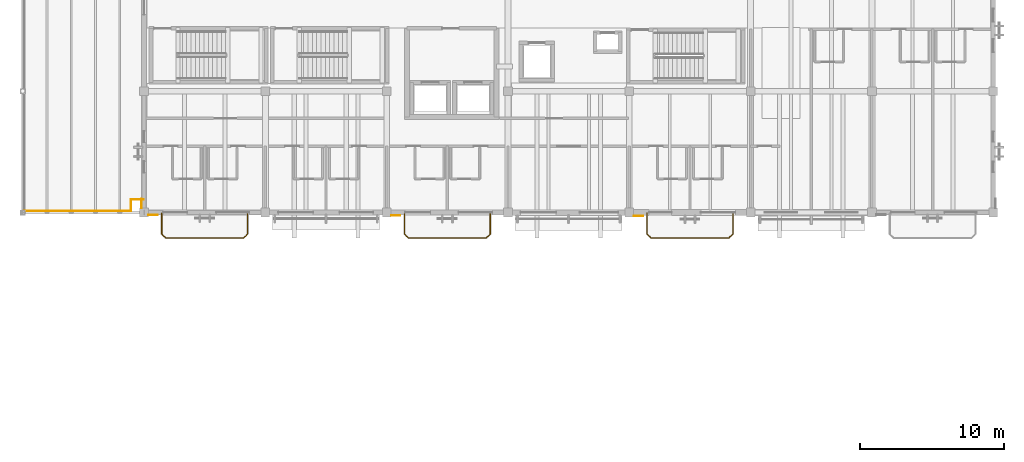
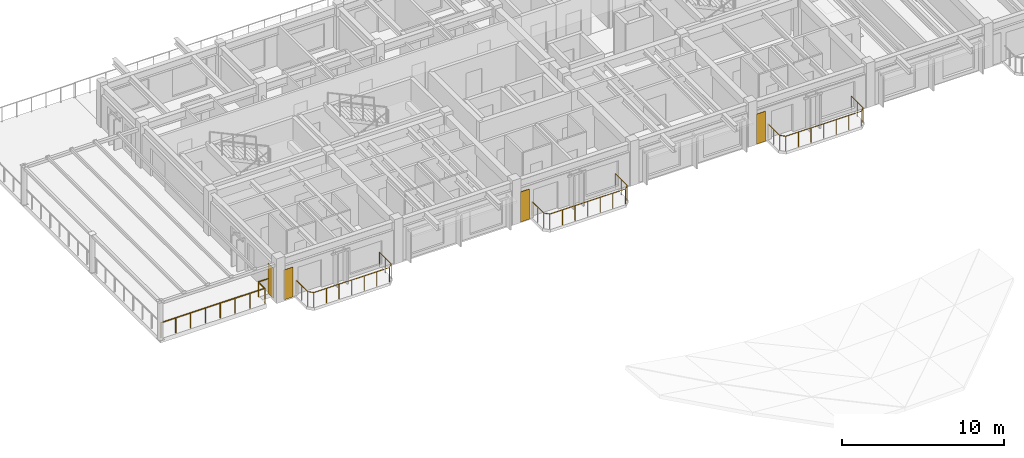
# One storey, part 17 of 22: 6 railings, 4 coverings.
"""IFC4 building model written with IfcOpenShell, lengths in metres."""

from ifc_helpers import new_model, si_unit, direction, frame, origin, origin_2d, place, context, subcontext, project, spatial, polyline, circle, outline, extrude, material, layer, layer_set, type_object, element, save


model = new_model("IFC4")

# Units and contexts
model_context = context("Model", 3, precision=1e-05, world=origin(), true_north=direction((0.0, 1.0)))
body_context = subcontext(model_context, "Body", "Model", "MODEL_VIEW")
ifc_project = project(units=[si_unit("LENGTHUNIT", "METRE"), si_unit("AREAUNIT", "SQUARE_METRE"), si_unit("VOLUMEUNIT", "CUBIC_METRE"), si_unit("PLANEANGLEUNIT", "RADIAN"), si_unit("MASSUNIT", "GRAM", prefix="KILO")], contexts=[model_context])

# Site, building, storey
site_placement = place(None, origin())
site = spatial("IfcSite", under=ifc_project, at=site_placement, CompositionType="ELEMENT")
building_placement = place(site_placement, origin())
building = spatial("IfcBuilding", under=site, at=building_placement, Name="Cumbredor Promenade Congress Hotel", CompositionType="ELEMENT")
storey_placement = place(building_placement, frame((0.0, 0.0, 28.56005859375)))
storey = spatial("IfcBuildingStorey", under=building, at=storey_placement, Name="L08", CompositionType="ELEMENT", Elevation=28.56005859375)

# Covering
ifc_material_1 = material(Name="Precast concrete C40/50", Category="concrete")
ifc_layer_1 = layer(ifc_material_1, 0.044921875, Name="Precast concrete C40/50", Category="concrete")
ifc_layer_set_1 = layer_set([ifc_layer_1], Name="Precast concrete C40/50")
covering_type_1 = type_object("IfcCoveringType", Name="Board-Formed Architectural Cladding Panel 45mm", PredefinedType="CLADDING", material=ifc_layer_set_1)
covering_1_placement = place(storey_placement, origin())
element("IfcCovering", 1, at=covering_1_placement, inside=storey, type_object=covering_type_1, Name="L08 Facade Stone Cladding Pier 232", PredefinedType="CLADDING", context=body_context, shape_type="SweptSolid", body=[
    extrude(outline(polyline([(25.5009765625, 92.22509765625), (26.15087890625, 92.22509765625), (26.15087890625, 92.179931640625), (25.5009765625, 92.179931640625), (25.5009765625, 92.22509765625)])), origin(), (0.0, 0.0, 1.0), 2.25),
])

# Railings
ifc_material_2 = material(Name="Brushed stainless steel", Category="steel")
railing_type_1 = type_object("IfcRailingType", Name="Sky Garden Glass-and-Steel Balustrade BAL-1150", PredefinedType="BALUSTRADE", material=ifc_material_2)
railing_1_placement = place(storey_placement, frame((26.429931640625, 92.35009765625, 0.0)))
element("IfcRailing", 2, at=railing_1_placement, inside=storey, type_object=railing_type_1, Name="L08 Veranda Balcony Balustrade 050", PredefinedType="BALUSTRADE", context=body_context, shape_type="SweptSolid", body=[
    extrude(circle(Radius=0.02392578125, at=origin_2d()), frame((0.0, 0.0, 1.1259765625), z_axis=(0.0, -1.0, 0.0), x_axis=(1.0, 0.0, 0.0)), (0.0, 0.0, 1.0), 1.440185546875),
    extrude(circle(Radius=0.02392578125, at=origin_2d()), frame((0.0, -1.440185546875, 1.1259765625), z_axis=(0.707106781187, -0.707106781187, 0.0), x_axis=(0.707106781187, 0.707106781187, 0.0)), (0.0, 0.0, 1.0), 0.39599609375),
    extrude(circle(Radius=0.02392578125, at=origin_2d()), frame((0.280029296875, -1.72021484375, 1.1259765625), z_axis=(1.0, 0.0, 0.0), x_axis=(0.0, 1.0, 0.0)), (0.0, 0.0, 1.0), 5.380126953125),
    extrude(circle(Radius=0.02392578125, at=origin_2d()), frame((5.66015625, -1.72021484375, 1.1259765625), z_axis=(0.707106781187, 0.707106781187, 0.0), x_axis=(-0.707106781187, 0.707106781187, 0.0)), (0.0, 0.0, 1.0), 0.39599609375),
    extrude(circle(Radius=0.02392578125, at=origin_2d()), frame((5.940185546875, -1.440185546875, 1.1259765625), z_axis=(0.0, 1.0, 0.0), x_axis=(-1.0, 0.0, 0.0)), (0.0, 0.0, 1.0), 1.440185546875),
    extrude(circle(Radius=0.02099609375, at=origin_2d()), origin(), (0.0, 0.0, 1.0), 1.101806640625),
    extrude(circle(Radius=0.02099609375, at=origin_2d()), frame((0.0, -0.72021484375, 0.0)), (0.0, 0.0, 1.0), 1.101806640625),
    extrude(circle(Radius=0.02099609375, at=origin_2d()), frame((0.0, -1.440185546875, 0.0)), (0.0, 0.0, 1.0), 1.101806640625),
    extrude(circle(Radius=0.02099609375, at=origin_2d()), frame((0.280029296875, -1.72021484375, 0.0)), (0.0, 0.0, 1.0), 1.101806640625),
    extrude(circle(Radius=0.02099609375, at=origin_2d()), frame((1.1767578125, -1.72021484375, 0.0)), (0.0, 0.0, 1.0), 1.101806640625),
    extrude(circle(Radius=0.02099609375, at=origin_2d()), frame((2.073486328125, -1.72021484375, 0.0)), (0.0, 0.0, 1.0), 1.101806640625),
    extrude(circle(Radius=0.02099609375, at=origin_2d()), frame((2.97021484375, -1.72021484375, 0.0)), (0.0, 0.0, 1.0), 1.101806640625),
    extrude(circle(Radius=0.02099609375, at=origin_2d()), frame((3.86669921875, -1.72021484375, 0.0)), (0.0, 0.0, 1.0), 1.101806640625),
    extrude(circle(Radius=0.02099609375, at=origin_2d()), frame((4.763427734375, -1.72021484375, 0.0)), (0.0, 0.0, 1.0), 1.101806640625),
    extrude(circle(Radius=0.02099609375, at=origin_2d()), frame((5.66015625, -1.72021484375, 0.0)), (0.0, 0.0, 1.0), 1.101806640625),
    extrude(circle(Radius=0.02099609375, at=origin_2d()), frame((5.940185546875, -1.440185546875, 0.0)), (0.0, 0.0, 1.0), 1.101806640625),
    extrude(circle(Radius=0.02099609375, at=origin_2d()), frame((5.940185546875, -0.72021484375, 0.0)), (0.0, 0.0, 1.0), 1.101806640625),
    extrude(circle(Radius=0.02099609375, at=origin_2d()), frame((5.940185546875, 0.0, 0.0)), (0.0, 0.0, 1.0), 1.101806640625),
])
railing_2_placement = place(storey_placement, frame((0.10009765625, 92.5, 0.0)))
element("IfcRailing", 3, at=railing_2_placement, inside=storey, type_object=railing_type_1, Name="L08 Hotel Step 3 West Sunset Sky Terrace Balustrade 72", PredefinedType="BALUSTRADE", context=body_context, shape_type="SweptSolid", body=[
    extrude(circle(Radius=0.02392578125, at=origin_2d()), frame((0.0, 0.0, 1.1259765625), z_axis=(1.0, 0.0, 0.0), x_axis=(0.0, 1.0, 0.0)), (0.0, 0.0, 1.0), 7.39990234375),
    extrude(circle(Radius=0.02099609375, at=origin_2d()), origin(), (0.0, 0.0, 1.0), 1.101806640625),
    extrude(circle(Radius=0.02099609375, at=origin_2d()), frame((1.05712890625, 0.0, 0.0)), (0.0, 0.0, 1.0), 1.101806640625),
    extrude(circle(Radius=0.02099609375, at=origin_2d()), frame((2.1142578125, 0.0, 0.0)), (0.0, 0.0, 1.0), 1.101806640625),
    extrude(circle(Radius=0.02099609375, at=origin_2d()), frame((3.17138671875, 0.0, 0.0)), (0.0, 0.0, 1.0), 1.101806640625),
    extrude(circle(Radius=0.02099609375, at=origin_2d()), frame((4.228515625, 0.0, 0.0)), (0.0, 0.0, 1.0), 1.101806640625),
    extrude(circle(Radius=0.02099609375, at=origin_2d()), frame((5.28564453125, 0.0, 0.0)), (0.0, 0.0, 1.0), 1.101806640625),
    extrude(circle(Radius=0.02099609375, at=origin_2d()), frame((6.3427734375, 0.0, 0.0)), (0.0, 0.0, 1.0), 1.101806640625),
    extrude(circle(Radius=0.02099609375, at=origin_2d()), frame((7.39990234375, 0.0, 0.0)), (0.0, 0.0, 1.0), 1.101806640625),
])
railing_3_placement = place(storey_placement, frame((7.5, 93.300048828125, 0.0)))
element("IfcRailing", 4, at=railing_3_placement, inside=storey, type_object=railing_type_1, Name="L08 Hotel Step 3 West Sunset Sky Terrace Balustrade 74", PredefinedType="BALUSTRADE", context=body_context, shape_type="SweptSolid", body=[
    extrude(circle(Radius=0.02392578125, at=origin_2d()), frame((0.0, 0.0, 1.1259765625), z_axis=(1.0, 0.0, 0.0), x_axis=(0.0, 1.0, 0.0)), (0.0, 0.0, 1.0), 0.85009765625),
    extrude(circle(Radius=0.02099609375, at=origin_2d()), origin(), (0.0, 0.0, 1.0), 1.101806640625),
    extrude(circle(Radius=0.02099609375, at=origin_2d()), frame((0.85009765625, 0.0, 0.0)), (0.0, 0.0, 1.0), 1.101806640625),
])
railing_type_2 = type_object("IfcRailingType", Name="Terrace Perimeter Balustrade BAL-1120", PredefinedType="BALUSTRADE", material=ifc_material_2)
railing_4_placement = place(storey_placement, frame((9.6298828125, 92.35009765625, 0.0)))
element("IfcRailing", 5, at=railing_4_placement, inside=storey, type_object=railing_type_2, Name="L08 Veranda Balcony Balustrade 049", PredefinedType="BALUSTRADE", context=body_context, shape_type="SweptSolid", body=[
    extrude(circle(Radius=0.02392578125, at=origin_2d()), frame((0.0, 0.0, 1.09619140625), z_axis=(0.0, -1.0, 0.0), x_axis=(1.0, 0.0, 0.0)), (0.0, 0.0, 1.0), 1.440185546875),
    extrude(circle(Radius=0.02392578125, at=origin_2d()), frame((0.0, -1.440185546875, 1.09619140625), z_axis=(0.707106781187, -0.707106781187, 0.0), x_axis=(0.707106781187, 0.707106781187, 0.0)), (0.0, 0.0, 1.0), 0.39599609375),
    extrude(circle(Radius=0.02392578125, at=origin_2d()), frame((0.280029296875, -1.72021484375, 1.09619140625), z_axis=(1.0, 0.0, 0.0), x_axis=(0.0, 1.0, 0.0)), (0.0, 0.0, 1.0), 5.380126953125),
    extrude(circle(Radius=0.02392578125, at=origin_2d()), frame((5.66015625, -1.72021484375, 1.09619140625), z_axis=(0.707106781187, 0.707106781187, 0.0), x_axis=(-0.707106781187, 0.707106781187, 0.0)), (0.0, 0.0, 1.0), 0.39599609375),
    extrude(circle(Radius=0.02392578125, at=origin_2d()), frame((5.940185546875, -1.440185546875, 1.09619140625), z_axis=(0.0, 1.0, 0.0), x_axis=(-1.0, 0.0, 0.0)), (0.0, 0.0, 1.0), 1.440185546875),
    extrude(circle(Radius=0.02099609375, at=origin_2d()), origin(), (0.0, 0.0, 1.0), 1.072021484375),
    extrude(circle(Radius=0.02099609375, at=origin_2d()), frame((0.0, -0.72021484375, 0.0)), (0.0, 0.0, 1.0), 1.072021484375),
    extrude(circle(Radius=0.02099609375, at=origin_2d()), frame((0.0, -1.440185546875, 0.0)), (0.0, 0.0, 1.0), 1.072021484375),
    extrude(circle(Radius=0.02099609375, at=origin_2d()), frame((0.280029296875, -1.72021484375, 0.0)), (0.0, 0.0, 1.0), 1.072021484375),
    extrude(circle(Radius=0.02099609375, at=origin_2d()), frame((1.1767578125, -1.72021484375, 0.0)), (0.0, 0.0, 1.0), 1.072021484375),
    extrude(circle(Radius=0.02099609375, at=origin_2d()), frame((2.073486328125, -1.72021484375, 0.0)), (0.0, 0.0, 1.0), 1.072021484375),
    extrude(circle(Radius=0.02099609375, at=origin_2d()), frame((2.97021484375, -1.72021484375, 0.0)), (0.0, 0.0, 1.0), 1.072021484375),
    extrude(circle(Radius=0.02099609375, at=origin_2d()), frame((3.86669921875, -1.72021484375, 0.0)), (0.0, 0.0, 1.0), 1.072021484375),
    extrude(circle(Radius=0.02099609375, at=origin_2d()), frame((4.763427734375, -1.72021484375, 0.0)), (0.0, 0.0, 1.0), 1.072021484375),
    extrude(circle(Radius=0.02099609375, at=origin_2d()), frame((5.66015625, -1.72021484375, 0.0)), (0.0, 0.0, 1.0), 1.072021484375),
    extrude(circle(Radius=0.02099609375, at=origin_2d()), frame((5.940185546875, -1.440185546875, 0.0)), (0.0, 0.0, 1.0), 1.072021484375),
    extrude(circle(Radius=0.02099609375, at=origin_2d()), frame((5.940185546875, -0.72021484375, 0.0)), (0.0, 0.0, 1.0), 1.072021484375),
    extrude(circle(Radius=0.02099609375, at=origin_2d()), frame((5.940185546875, 0.0, 0.0)), (0.0, 0.0, 1.0), 1.072021484375),
])
railing_5_placement = place(storey_placement, frame((43.22998046875, 92.35009765625, 0.0)))
element("IfcRailing", 6, at=railing_5_placement, inside=storey, type_object=railing_type_2, Name="L08 Veranda Balcony Balustrade 051", PredefinedType="BALUSTRADE", context=body_context, shape_type="SweptSolid", body=[
    extrude(circle(Radius=0.02392578125, at=origin_2d()), frame((0.0, 0.0, 1.09619140625), z_axis=(0.0, -1.0, 0.0), x_axis=(1.0, 0.0, 0.0)), (0.0, 0.0, 1.0), 1.440185546875),
    extrude(circle(Radius=0.02392578125, at=origin_2d()), frame((0.0, -1.440185546875, 1.09619140625), z_axis=(0.707106781187, -0.707106781187, 0.0), x_axis=(0.707106781187, 0.707106781187, 0.0)), (0.0, 0.0, 1.0), 0.39599609375),
    extrude(circle(Radius=0.02392578125, at=origin_2d()), frame((0.280029296875, -1.72021484375, 1.09619140625), z_axis=(1.0, 0.0, 0.0), x_axis=(0.0, 1.0, 0.0)), (0.0, 0.0, 1.0), 5.3798828125),
    extrude(circle(Radius=0.02392578125, at=origin_2d()), frame((5.659912109375, -1.72021484375, 1.09619140625), z_axis=(0.707106781187, 0.707106781187, 0.0), x_axis=(-0.707106781187, 0.707106781187, 0.0)), (0.0, 0.0, 1.0), 0.39599609375),
    extrude(circle(Radius=0.02392578125, at=origin_2d()), frame((5.93994140625, -1.440185546875, 1.09619140625), z_axis=(0.0, 1.0, 0.0), x_axis=(-1.0, 0.0, 0.0)), (0.0, 0.0, 1.0), 1.440185546875),
    extrude(circle(Radius=0.02099609375, at=origin_2d()), origin(), (0.0, 0.0, 1.0), 1.072021484375),
    extrude(circle(Radius=0.02099609375, at=origin_2d()), frame((0.0, -0.72021484375, 0.0)), (0.0, 0.0, 1.0), 1.072021484375),
    extrude(circle(Radius=0.02099609375, at=origin_2d()), frame((0.0, -1.440185546875, 0.0)), (0.0, 0.0, 1.0), 1.072021484375),
    extrude(circle(Radius=0.02099609375, at=origin_2d()), frame((0.280029296875, -1.72021484375, 0.0)), (0.0, 0.0, 1.0), 1.072021484375),
    extrude(circle(Radius=0.02099609375, at=origin_2d()), frame((1.1767578125, -1.72021484375, 0.0)), (0.0, 0.0, 1.0), 1.072021484375),
    extrude(circle(Radius=0.02099609375, at=origin_2d()), frame((2.0732421875, -1.72021484375, 0.0)), (0.0, 0.0, 1.0), 1.072021484375),
    extrude(circle(Radius=0.02099609375, at=origin_2d()), frame((2.969970703125, -1.72021484375, 0.0)), (0.0, 0.0, 1.0), 1.072021484375),
    extrude(circle(Radius=0.02099609375, at=origin_2d()), frame((3.86669921875, -1.72021484375, 0.0)), (0.0, 0.0, 1.0), 1.072021484375),
    extrude(circle(Radius=0.02099609375, at=origin_2d()), frame((4.76318359375, -1.72021484375, 0.0)), (0.0, 0.0, 1.0), 1.072021484375),
    extrude(circle(Radius=0.02099609375, at=origin_2d()), frame((5.659912109375, -1.72021484375, 0.0)), (0.0, 0.0, 1.0), 1.072021484375),
    extrude(circle(Radius=0.02099609375, at=origin_2d()), frame((5.93994140625, -1.440185546875, 0.0)), (0.0, 0.0, 1.0), 1.072021484375),
    extrude(circle(Radius=0.02099609375, at=origin_2d()), frame((5.93994140625, -0.72021484375, 0.0)), (0.0, 0.0, 1.0), 1.072021484375),
    extrude(circle(Radius=0.02099609375, at=origin_2d()), frame((5.93994140625, 0.0, 0.0)), (0.0, 0.0, 1.0), 1.072021484375),
])
railing_6_placement = place(storey_placement, frame((7.5, 92.5, 0.0)))
element("IfcRailing", 7, at=railing_6_placement, inside=storey, type_object=railing_type_2, Name="L08 Hotel Step 3 West Sunset Sky Terrace Balustrade 73", PredefinedType="BALUSTRADE", context=body_context, shape_type="SweptSolid", body=[
    extrude(circle(Radius=0.02392578125, at=origin_2d()), frame((0.0, 0.0, 1.09619140625), z_axis=(0.0, 1.0, 0.0), x_axis=(-1.0, 0.0, 0.0)), (0.0, 0.0, 1.0), 0.800048828125),
    extrude(circle(Radius=0.02099609375, at=origin_2d()), origin(), (0.0, 0.0, 1.0), 1.072021484375),
    extrude(circle(Radius=0.02099609375, at=origin_2d()), frame((0.0, 0.800048828125, 0.0)), (0.0, 0.0, 1.0), 1.072021484375),
])

# Coverings
ifc_material_3 = material(Name="Volcanic andesite ashlar cladding", Category="masonry")
ifc_layer_2 = layer(ifc_material_3, 0.034912109375, Name="Volcanic andesite ashlar cladding", Category="masonry")
ifc_layer_set_2 = layer_set([ifc_layer_2], Name="Volcanic andesite ashlar cladding")
covering_type_2 = type_object("IfcCoveringType", Name="Volcanic Andesite Ashlar Rainscreen Cladding 35mm", PredefinedType="CLADDING", material=ifc_layer_set_2)
covering_2_placement = place(storey_placement, origin())
element("IfcCovering", 8, at=covering_2_placement, inside=storey, type_object=covering_type_2, Name="L08 Facade Stone Cladding Pier 231", PredefinedType="CLADDING", context=body_context, shape_type="SweptSolid", body=[
    extrude(outline(polyline([(8.700927734375, 92.25), (9.35107421875, 92.25), (9.35107421875, 92.215087890625), (8.700927734375, 92.215087890625), (8.700927734375, 92.25)])), origin(), (0.0, 0.0, 1.0), 2.25),
])
covering_3_placement = place(storey_placement, origin())
element("IfcCovering", 9, at=covering_3_placement, inside=storey, type_object=covering_type_2, Name="L08 Facade Stone Cladding Pier 233", PredefinedType="CLADDING", context=body_context, shape_type="SweptSolid", body=[
    extrude(outline(polyline([(42.301025390625, 92.1875), (42.950927734375, 92.1875), (42.950927734375, 92.152587890625), (42.301025390625, 92.152587890625), (42.301025390625, 92.1875)])), origin(), (0.0, 0.0, 1.0), 2.25),
])
covering_4_placement = place(storey_placement, origin())
element("IfcCovering", 10, at=covering_4_placement, inside=storey, type_object=covering_type_2, Name="L08 Facade Stone Cladding Pier 239", PredefinedType="CLADDING", context=body_context, shape_type="SweptSolid", body=[
    extrude(outline(polyline([(8.25, 92.700927734375), (8.25, 93.35107421875), (8.215087890625, 93.35107421875), (8.215087890625, 92.700927734375), (8.25, 92.700927734375)])), origin(), (0.0, 0.0, 1.0), 2.25),
])

save(model, "model.ifc")
